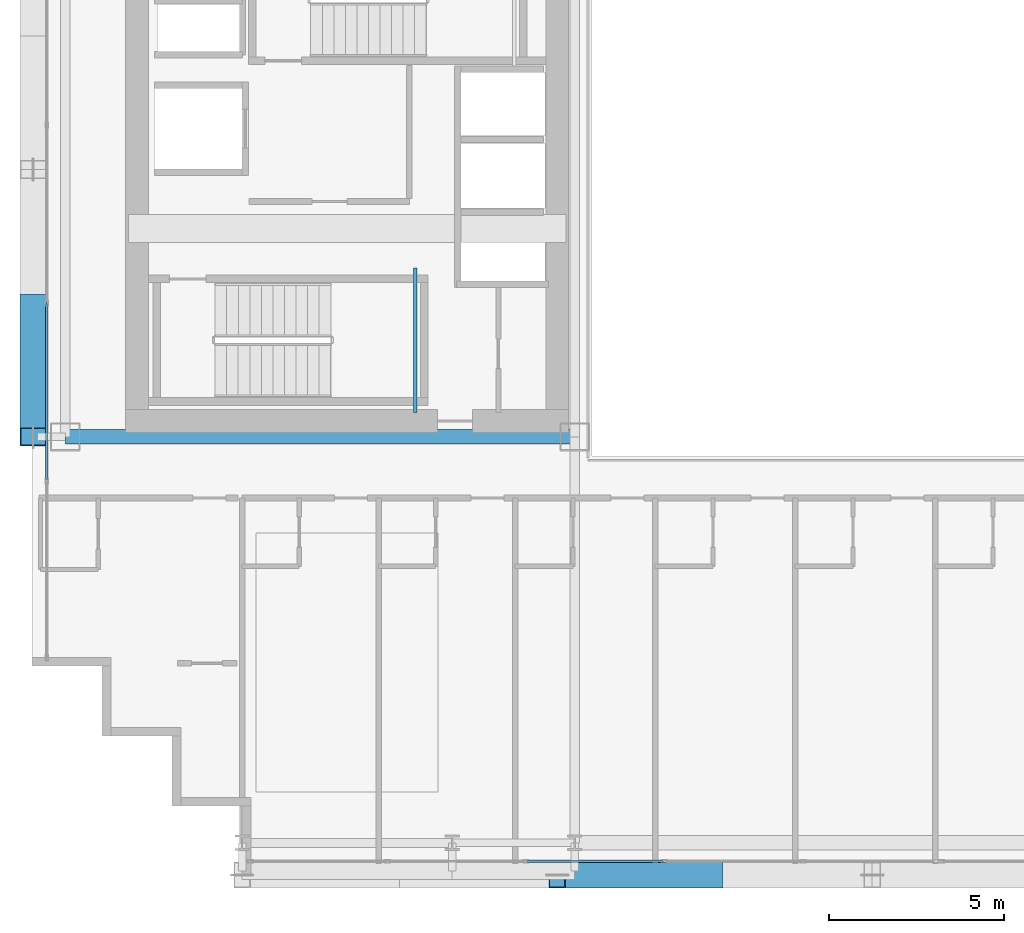
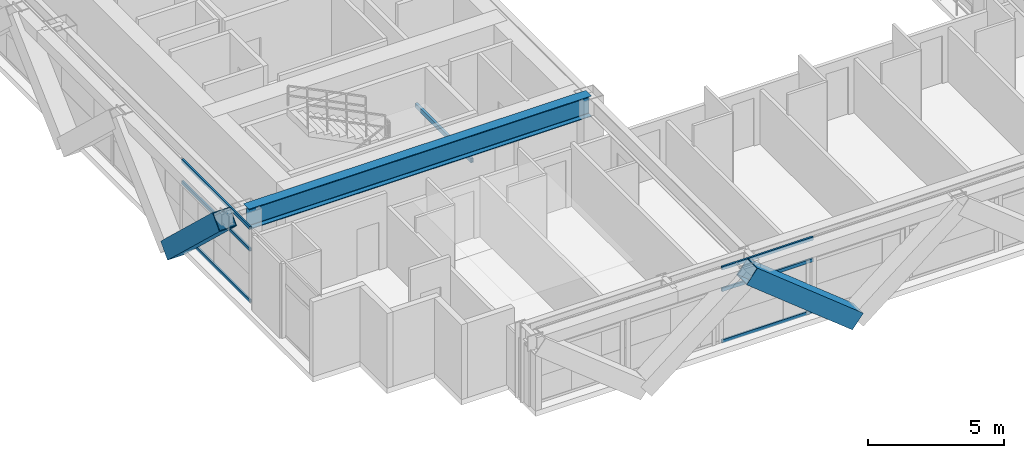
# One storey, part 4 of 36: 8 members, 2 beams, 2 elements without a shape of their own.
"""IFC4 building model written with IfcOpenShell, lengths in metres."""

from ifc_helpers import new_model, si_unit, direction, frame, origin, origin_2d, place, context, subcontext, project, spatial, hollow_rectangle, i_section, extrude, source, transform, mapped, material, layer, layer_set, material_profile, profile_set, type_object, element, aggregate, save


model = new_model("IFC4")

# Units and contexts
model_context = context("Model", 3, precision=1e-05, world=origin(), true_north=direction((0.0, 1.0)))
body_context = subcontext(model_context, "Body", "Model", "MODEL_VIEW")
ifc_project = project(units=[si_unit("LENGTHUNIT", "METRE"), si_unit("AREAUNIT", "SQUARE_METRE"), si_unit("VOLUMEUNIT", "CUBIC_METRE"), si_unit("PLANEANGLEUNIT", "RADIAN"), si_unit("MASSUNIT", "GRAM", prefix="KILO")], contexts=[model_context])

# Site, building, storey
site_placement = place(None, origin())
site = spatial("IfcSite", under=ifc_project, at=site_placement, CompositionType="ELEMENT")
building_placement = place(site_placement, origin())
building = spatial("IfcBuilding", under=site, at=building_placement, Name="Ocotamira Hotel", CompositionType="ELEMENT")
storey_placement = place(building_placement, frame((0.0, 0.0, 136.800048828125)))
storey = spatial("IfcBuildingStorey", under=building, at=storey_placement, Name="L34", CompositionType="ELEMENT", Elevation=136.800048828125)

# Beams
ifc_material_1 = material(Name="Steel ASTM A500 Grade C", Category="steel")
ifc_material_profile_1 = material_profile(ifc_material_1, hollow_rectangle(XDim=0.10009765625, YDim=0.199951171875, WallThickness=0.008056640625, at=origin_2d()), Name="HSS200X100X8")
ifc_profile_set_1 = profile_set([ifc_material_profile_1], Name="Steel ASTM A500 Grade C")
beam_type_1 = type_object("IfcBeamType", Name="BM-STLDG-HSS200", PredefinedType="BEAM", material=ifc_profile_set_1)
shared_shape_1 = source(origin(), body_context, "Body", "SweptSolid", [
    extrude(hollow_rectangle(XDim=0.10009765625, YDim=0.199951171875, WallThickness=0.008056640625, at=origin_2d()), origin(), (0.0, 0.0, 1.0), 4.1201171875),
])
beam_1_placement = place(storey_placement, frame((18.949951171875, 15.25, 1.5), z_axis=(0.0, 1.0, 0.0), x_axis=(-1.0, 0.0, 0.0)))
element("IfcBeam", 1, at=beam_1_placement, inside=storey, type_object=beam_type_1, Name="L34 Stair ST-1 Landing Bearer 1", PredefinedType="BEAM", context=body_context, shape_type="MappedRepresentation", body=[
    mapped(shared_shape_1, transform((0.0, 0.0, 0.0), scale=1.0)),
])
ifc_material_2 = material(Name="Steel ASTM A992 Grade 50", Category="steel")
ifc_material_profile_2 = material_profile(ifc_material_2, i_section(OverallWidth=0.41796875, OverallDepth=0.927001953125, WebThickness=0.019287109375, FlangeThickness=0.031982421875, FilletRadius=0.02392578125, at=origin_2d()), Name="W36X231")
ifc_profile_set_2 = profile_set([ifc_material_profile_2], Name="Steel ASTM A992 Grade 50")
beam_type_2 = type_object("IfcBeamType", Name="BM-GIRD-W36X231", PredefinedType="BEAM", material=ifc_profile_set_2)
shared_shape_2 = source(origin(), body_context, "Body", "SweptSolid", [
    extrude(i_section(OverallWidth=0.41796875, OverallDepth=0.927001953125, WebThickness=0.019287109375, FlangeThickness=0.031982421875, FilletRadius=0.02392578125, at=origin_2d()), origin(), (0.0, 0.0, 1.0), 14.550048828125),
])
beam_2_placement = place(storey_placement, frame((8.949951171875, 14.550048828125, 2.896484375), z_axis=(1.0, 0.0, 0.0), x_axis=(0.0, 1.0, 0.0)))
element("IfcBeam", 2, at=beam_2_placement, inside=storey, type_object=beam_type_2, Name="L34 Girder Y14.55 X8.95-23.5", PredefinedType="BEAM", context=body_context, shape_type="MappedRepresentation", body=[
    mapped(shared_shape_2, transform((0.0, 0.0, 0.0), scale=1.0)),
])

# Members
ifc_material_3 = material(Name="Pale-metal coated steel ASTM A913 Grade 65", Category="steel")
ifc_material_profile_3 = material_profile(ifc_material_3, hollow_rectangle(XDim=0.75, YDim=0.75, WallThickness=0.028076171875, at=origin_2d()), Name="BOX750X750X28")
ifc_profile_set_3 = profile_set([ifc_material_profile_3], Name="Pale-metal coated steel ASTM A913 Grade 65")
member_type_1 = type_object("IfcMemberType", Name="MEM-EXO-BOX750", PredefinedType="BRACE", material=ifc_profile_set_3)
shared_shape_3 = source(origin(), body_context, "Body", "SweptSolid", [
    extrude(hollow_rectangle(XDim=0.75, YDim=0.75, WallThickness=0.028076171875, at=origin_2d()), origin(), (0.0, 0.0, 1.0), 5.24658203125),
])
member_1_placement = place(storey_placement, frame((8.030029296875, 18.36669921875, -0.489990234375), z_axis=(0.0, -0.72746596067, 0.686143772154), x_axis=(1.0, 0.0, 0.0)))
element("IfcMember", 3, at=member_1_placement, inside=storey, type_object=member_type_1, Name="L34 Exoskeleton Diagrid W0.1", PredefinedType="BRACE", context=body_context, shape_type="MappedRepresentation", body=[
    mapped(shared_shape_3, transform((0.0, 0.0, 0.0), scale=1.0)),
])
shared_shape_4 = source(origin(), body_context, "Body", "SweptSolid", [
    extrude(hollow_rectangle(XDim=0.75, YDim=0.75, WallThickness=0.028076171875, at=origin_2d()), origin(), (0.0, 0.0, 1.0), 5.7626953125),
])
member_2_placement = place(storey_placement, frame((27.5, 2.030029296875, -0.489990234375), z_axis=(-0.780881208953, 0.0, 0.624679547852), x_axis=(0.0, -1.0, 0.0)))
element("IfcMember", 4, at=member_2_placement, inside=storey, type_object=member_type_1, Name="L34 Exoskeleton Diagrid S1.1", PredefinedType="BRACE", context=body_context, shape_type="MappedRepresentation", body=[
    mapped(shared_shape_4, transform((0.0, 0.0, 0.0), scale=1.0)),
])

# Curtain wall, members
ifc_material_4 = material(Name="Anodised pale-metal aluminium and solar glass", Category="aluminium")
ifc_layer = layer(ifc_material_4, 0.179931640625)
ifc_layer_set = layer_set([ifc_layer], Name="Anodised pale-metal aluminium and solar glass")
curtain_wall_type = type_object("IfcCurtainWallType", Name="CW-SYS3-Z2", PredefinedType="NOTDEFINED", material=ifc_layer_set)
curtain_wall_1_placement = place(storey_placement, origin())
curtain_wall_1 = element("IfcCurtainWall", 5, at=curtain_wall_1_placement, inside=storey, type_object=curtain_wall_type, Name="L34 Curtain Wall CW-3 CW-L34-S1", PredefinedType="NOTDEFINED")
ifc_material_5 = material(Name="Anodised pale-metal aluminium 6063-T6", Category="aluminium")
ifc_material_profile_4 = material_profile(ifc_material_5, hollow_rectangle(XDim=0.074951171875, YDim=0.14990234375, WallThickness=0.006103515625, at=origin_2d()), Name="HSS150X75X6")
ifc_profile_set_4 = profile_set([ifc_material_profile_4], Name="Anodised pale-metal aluminium 6063-T6")
member_type_2 = type_object("IfcMemberType", Name="CWT-150X75", PredefinedType="USERDEFINED", material=ifc_profile_set_4)
shared_shape_5 = source(origin(), body_context, "Body", "SweptSolid", [
    extrude(hollow_rectangle(XDim=0.074951171875, YDim=0.14990234375, WallThickness=0.006103515625, at=origin_2d()), origin(), (0.0, 0.0, 1.0), 3.87548828125),
])
member_3_placement = place(storey_placement, frame((22.151123046875, 2.419921875, 0.037353515625), z_axis=(1.0, 0.0, 0.0), x_axis=(0.0, 1.0, 0.0)))
member_3 = element("IfcMember", 6, at=member_3_placement, type_object=member_type_2, Name="CW-3 transom 3.1", ObjectType="TRANSOM", PredefinedType="USERDEFINED", context=body_context, shape_type="MappedRepresentation", body=[
    mapped(shared_shape_5, transform((0.0, 0.0, 0.0), scale=1.0)),
])
member_4_placement = place(storey_placement, frame((22.151123046875, 2.419921875, 2.349853515625), z_axis=(1.0, 0.0, 0.0), x_axis=(0.0, 1.0, 0.0)))
member_4 = element("IfcMember", 7, at=member_4_placement, type_object=member_type_2, Name="CW-3 transom 3.2", ObjectType="TRANSOM", PredefinedType="USERDEFINED", context=body_context, shape_type="MappedRepresentation", body=[
    mapped(shared_shape_5, transform((0.0, 0.0, 0.0), scale=1.0)),
])
member_5_placement = place(storey_placement, frame((22.151123046875, 2.419921875, 3.322509765625), z_axis=(1.0, 0.0, 0.0), x_axis=(0.0, 1.0, 0.0)))
member_5 = element("IfcMember", 8, at=member_5_placement, type_object=member_type_2, Name="CW-3 transom 3.3", ObjectType="TRANSOM", PredefinedType="USERDEFINED", context=body_context, shape_type="MappedRepresentation", body=[
    mapped(shared_shape_5, transform((0.0, 0.0, 0.0), scale=1.0)),
])
aggregate(curtain_wall_1, [member_3, member_4, member_5])

curtain_wall_2_placement = place(storey_placement, origin())
curtain_wall_2 = element("IfcCurtainWall", 9, at=curtain_wall_2_placement, inside=storey, type_object=curtain_wall_type, Name="L34 Curtain Wall CW-3 CW-L34-W", PredefinedType="NOTDEFINED")
shared_shape_6 = source(origin(), body_context, "Body", "SweptSolid", [
    extrude(hollow_rectangle(XDim=0.074951171875, YDim=0.14990234375, WallThickness=0.006103515625, at=origin_2d()), origin(), (0.0, 0.0, 1.0), 5.005859375),
])
member_6_placement = place(storey_placement, frame((8.419921875, 13.32568359375, 0.037353515625), z_axis=(0.0, 1.0, 0.0), x_axis=(-1.0, 0.0, 0.0)))
member_6 = element("IfcMember", 10, at=member_6_placement, type_object=member_type_2, Name="CW-3 transom 2.1", ObjectType="TRANSOM", PredefinedType="USERDEFINED", context=body_context, shape_type="MappedRepresentation", body=[
    mapped(shared_shape_6, transform((0.0, 0.0, 0.0), scale=1.0)),
])
member_7_placement = place(storey_placement, frame((8.419921875, 13.32568359375, 2.349853515625), z_axis=(0.0, 1.0, 0.0), x_axis=(-1.0, 0.0, 0.0)))
member_7 = element("IfcMember", 11, at=member_7_placement, type_object=member_type_2, Name="CW-3 transom 2.2", ObjectType="TRANSOM", PredefinedType="USERDEFINED", context=body_context, shape_type="MappedRepresentation", body=[
    mapped(shared_shape_6, transform((0.0, 0.0, 0.0), scale=1.0)),
])
member_8_placement = place(storey_placement, frame((8.419921875, 13.32568359375, 3.322509765625), z_axis=(0.0, 1.0, 0.0), x_axis=(-1.0, 0.0, 0.0)))
member_8 = element("IfcMember", 12, at=member_8_placement, type_object=member_type_2, Name="CW-3 transom 2.3", ObjectType="TRANSOM", PredefinedType="USERDEFINED", context=body_context, shape_type="MappedRepresentation", body=[
    mapped(shared_shape_6, transform((0.0, 0.0, 0.0), scale=1.0)),
])
aggregate(curtain_wall_2, [member_6, member_7, member_8])

save(model, "model.ifc")
